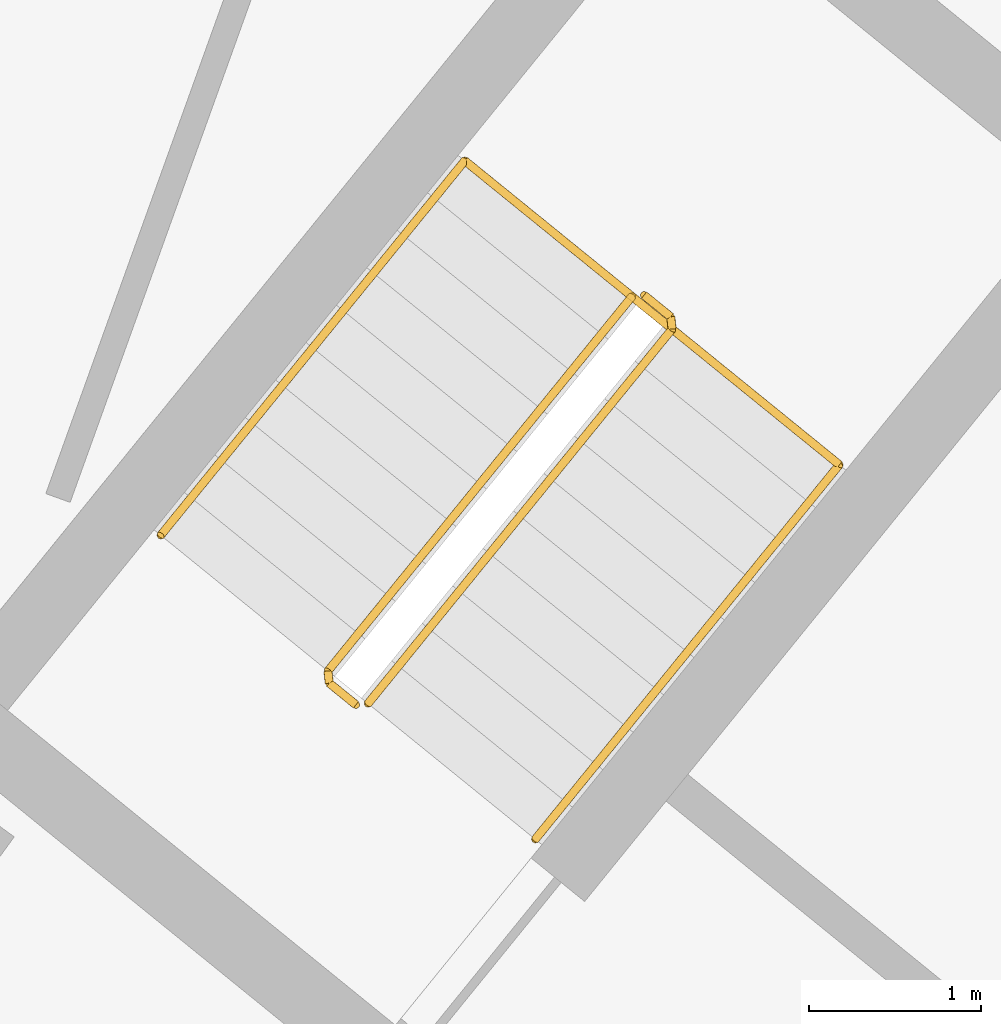
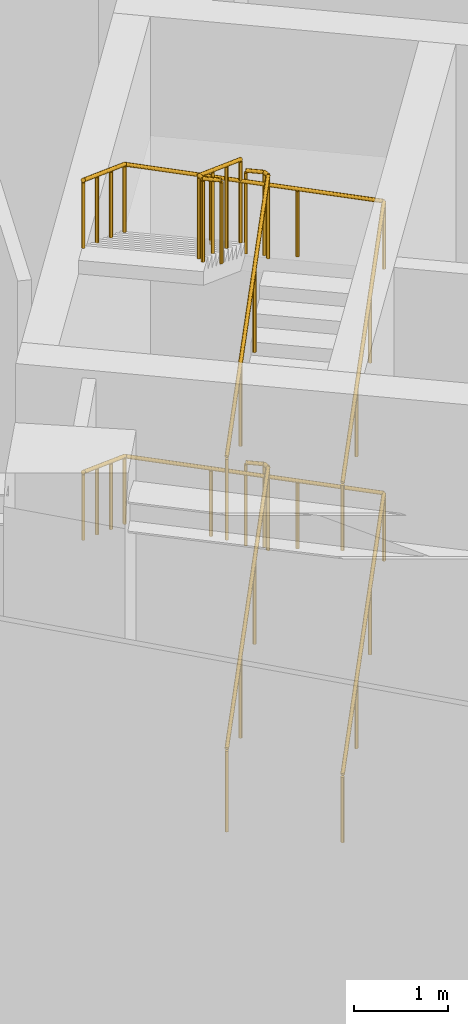
# One storey, part 30 of 30: 5 railings.
"""IFC4 building model written with IfcOpenShell, lengths in metres."""

from ifc_helpers import new_model, si_unit, direction, frame, origin, origin_2d, place, context, subcontext, project, spatial, circle, extrude, material, type_object, element, save


model = new_model("IFC4")

# Units and contexts
model_context = context("Model", 3, precision=1e-05, world=origin(), true_north=direction((0.0, 1.0)))
body_context = subcontext(model_context, "Body", "Model", "MODEL_VIEW")
ifc_project = project(units=[si_unit("LENGTHUNIT", "METRE"), si_unit("AREAUNIT", "SQUARE_METRE"), si_unit("VOLUMEUNIT", "CUBIC_METRE"), si_unit("PLANEANGLEUNIT", "RADIAN"), si_unit("MASSUNIT", "GRAM", prefix="KILO")], contexts=[model_context])

# Site, building, storey
site_placement = place(None, origin())
site = spatial("IfcSite", under=ifc_project, at=site_placement, CompositionType="ELEMENT")
building_placement = place(site_placement, origin())
building = spatial("IfcBuilding", under=site, at=building_placement, Name="Stone Belt Terrace Tower", CompositionType="ELEMENT")
storey_placement = place(building_placement, frame((0.0, 0.0, 136.39990234375)))
storey = spatial("IfcBuildingStorey", under=building, at=storey_placement, Name="L33", CompositionType="ELEMENT", Elevation=136.39990234375)

# Railings
ifc_material = material(Name="Structural steel C345", Category="steel")
railing_type_1 = type_object("IfcRailingType", Name="Stair guard 1100", PredefinedType="GUARDRAIL", material=ifc_material)
for number, where, name in (
    (1, (29.39794921875, 38.281982421875, 0.1728515625), "L33 ST3B stair guard 1"),
    (2, (29.39794921875, 38.281982421875, 3.972900390625), "L33 ST3B stair guard 3"),
):
    element("IfcRailing", number, at=place(storey_placement, frame(where)), inside=storey, type_object=railing_type_1, Name=name, PredefinedType="GUARDRAIL", context=body_context, shape_type="SweptSolid", body=[
        extrude(circle(Radius=0.02392578125, at=origin_2d()), frame((0.0, 0.0, 1.076171875), z_axis=(0.536393061503, 0.660769759217, 0.525038864158), x_axis=(-0.776391310223, 0.630251166924, 0.0)), (0.0, 0.0, 1.0), 3.289794921875),
        extrude(circle(Radius=0.02392578125, at=origin_2d()), frame((1.7646484375, 2.173828125, 2.80322265625), z_axis=(-0.103251414163, 0.994655289773, 0.0), x_axis=(-0.994655289773, -0.103251414163, 0.0)), (0.0, 0.0, 1.0), 0.071044921875),
        extrude(circle(Radius=0.02392578125, at=origin_2d()), frame((1.75732421875, 2.244384765625, 2.80322265625), z_axis=(-0.776561986372, 0.630040856868, 0.0), x_axis=(-0.630040856868, -0.776561986372, 0.0)), (0.0, 0.0, 1.0), 0.199951171875),
        extrude(circle(Radius=0.02099609375, at=origin_2d()), origin(), (0.0, 0.0, 1.0), 1.052001953125),
        extrude(circle(Radius=0.02099609375, at=origin_2d()), frame((0.588134765625, 0.724609375, 0.57568359375)), (0.0, 0.0, 1.0), 1.052001953125),
        extrude(circle(Radius=0.02099609375, at=origin_2d()), frame((1.176513671875, 1.44921875, 1.151611328125)), (0.0, 0.0, 1.0), 1.052001953125),
        extrude(circle(Radius=0.02099609375, at=origin_2d()), frame((1.7646484375, 2.173828125, 1.727294921875)), (0.0, 0.0, 1.0), 1.052001953125),
        extrude(circle(Radius=0.02099609375, at=origin_2d()), frame((1.75732421875, 2.244384765625, 1.727294921875)), (0.0, 0.0, 1.0), 1.052001953125),
        extrude(circle(Radius=0.02099609375, at=origin_2d()), frame((1.60205078125, 2.370361328125, 1.727294921875)), (0.0, 0.0, 1.0), 1.052001953125),
    ])
railing_1_placement = place(storey_placement, frame((30.9296875, 40.64501953125, 5.872802734375)))
element("IfcRailing", 3, at=railing_1_placement, inside=storey, type_object=railing_type_1, Name="L33 ST3B stair guard 4", PredefinedType="GUARDRAIL", context=body_context, shape_type="SweptSolid", body=[
    extrude(circle(Radius=0.02392578125, at=origin_2d()), frame((0.0, 0.0, 1.076171875), z_axis=(-0.536366759382, -0.660811565066, 0.525013118792), x_axis=(0.776425942316, -0.630208502084, 0.0)), (0.0, 0.0, 1.0), 3.2900390625),
    extrude(circle(Radius=0.02392578125, at=origin_2d()), frame((-1.7646484375, -2.174072265625, 2.80322265625), z_axis=(0.103606084259, -0.994618408891, 0.0), x_axis=(0.994618408891, 0.103606084259, 0.0)), (0.0, 0.0, 1.0), 0.07080078125),
    extrude(circle(Radius=0.02392578125, at=origin_2d()), frame((-1.75732421875, -2.244384765625, 2.80322265625), z_axis=(0.776561986372, -0.630040856868, 0.0), x_axis=(0.630040856868, 0.776561986372, 0.0)), (0.0, 0.0, 1.0), 0.199951171875),
    extrude(circle(Radius=0.02099609375, at=origin_2d()), origin(), (0.0, 0.0, 1.0), 1.052001953125),
    extrude(circle(Radius=0.02099609375, at=origin_2d()), frame((-0.588134765625, -0.724609375, 0.57568359375)), (0.0, 0.0, 1.0), 1.052001953125),
    extrude(circle(Radius=0.02099609375, at=origin_2d()), frame((-1.176513671875, -1.449462890625, 1.151611328125)), (0.0, 0.0, 1.0), 1.052001953125),
    extrude(circle(Radius=0.02099609375, at=origin_2d()), frame((-1.7646484375, -2.174072265625, 1.727294921875)), (0.0, 0.0, 1.0), 1.052001953125),
    extrude(circle(Radius=0.02099609375, at=origin_2d()), frame((-1.75732421875, -2.244384765625, 1.727294921875)), (0.0, 0.0, 1.0), 1.052001953125),
    extrude(circle(Radius=0.02099609375, at=origin_2d()), frame((-1.60205078125, -2.370361328125, 1.727294921875)), (0.0, 0.0, 1.0), 1.052001953125),
])
railing_type_2 = type_object("IfcRailingType", Name="Stair handrail 900", PredefinedType="HANDRAIL", material=ifc_material)
railing_2_placement = place(storey_placement, frame((30.36865234375, 37.494140625, 0.1728515625)))
element("IfcRailing", 4, at=railing_2_placement, inside=storey, type_object=railing_type_2, Name="L33 ST3B stair handrail 1", PredefinedType="HANDRAIL", context=body_context, shape_type="SweptSolid", body=[
    extrude(circle(Radius=0.02392578125, at=origin_2d()), frame((0.0, 0.0, 0.8759765625), z_axis=(0.536366759382, 0.660811565066, 0.525013118792), x_axis=(-0.776425942316, 0.630208502084, 0.0)), (0.0, 0.0, 1.0), 3.2900390625),
    extrude(circle(Radius=0.02392578125, at=origin_2d()), frame((1.7646484375, 2.174072265625, 2.60302734375), z_axis=(-0.774954966459, 0.629014542119, 0.061526463929), x_axis=(-0.630208502084, -0.776425942316, 0.0)), (0.0, 0.0, 1.0), 2.805419921875),
    extrude(circle(Radius=0.02392578125, at=origin_2d()), frame((-0.409423828125, 3.938720703125, 2.77587890625), z_axis=(-0.536366759382, -0.660811565066, 0.525013118792), x_axis=(0.776425942316, -0.630208502084, 0.0)), (0.0, 0.0, 1.0), 3.2900390625),
    extrude(circle(Radius=0.02099609375, at=origin_2d()), origin(), (0.0, 0.0, 1.0), 0.851806640625),
    extrude(circle(Radius=0.02099609375, at=origin_2d()), frame((0.588134765625, 0.724609375, 0.57568359375)), (0.0, 0.0, 1.0), 0.851806640625),
    extrude(circle(Radius=0.02099609375, at=origin_2d()), frame((1.176513671875, 1.449462890625, 1.151611328125)), (0.0, 0.0, 1.0), 0.851806640625),
    extrude(circle(Radius=0.02099609375, at=origin_2d()), frame((1.7646484375, 2.174072265625, 1.727294921875)), (0.0, 0.0, 1.0), 0.851806640625),
    extrude(circle(Radius=0.02099609375, at=origin_2d()), frame((1.0400390625, 2.76220703125, 1.784912109375)), (0.0, 0.0, 1.0), 0.851806640625),
    extrude(circle(Radius=0.02099609375, at=origin_2d()), frame((0.315185546875, 3.3505859375, 1.84228515625)), (0.0, 0.0, 1.0), 0.851806640625),
    extrude(circle(Radius=0.02099609375, at=origin_2d()), frame((-0.409423828125, 3.938720703125, 1.89990234375)), (0.0, 0.0, 1.0), 0.851806640625),
    extrude(circle(Radius=0.02099609375, at=origin_2d()), frame((-0.99755859375, 3.214111328125, 2.4755859375)), (0.0, 0.0, 1.0), 0.851806640625),
    extrude(circle(Radius=0.02099609375, at=origin_2d()), frame((-1.5859375, 2.4892578125, 3.051513671875)), (0.0, 0.0, 1.0), 0.851806640625),
    extrude(circle(Radius=0.02099609375, at=origin_2d()), frame((-2.174072265625, 1.7646484375, 3.627197265625)), (0.0, 0.0, 1.0), 0.851806640625),
])
railing_3_placement = place(storey_placement, frame((30.36865234375, 37.494140625, 3.972900390625)))
element("IfcRailing", 5, at=railing_3_placement, inside=storey, type_object=railing_type_2, Name="L33 ST3B stair handrail 2", PredefinedType="HANDRAIL", context=body_context, shape_type="SweptSolid", body=[
    extrude(circle(Radius=0.02392578125, at=origin_2d()), frame((0.0, 0.0, 0.8759765625), z_axis=(0.536366759382, 0.660811565066, 0.525013118792), x_axis=(-0.776425942316, 0.630208502084, 0.0)), (0.0, 0.0, 1.0), 3.2900390625),
    extrude(circle(Radius=0.02392578125, at=origin_2d()), frame((1.7646484375, 2.174072265625, 2.60302734375), z_axis=(-0.774954966459, 0.629014542119, 0.061526463929), x_axis=(-0.630208502084, -0.776425942316, 0.0)), (0.0, 0.0, 1.0), 2.805419921875),
    extrude(circle(Radius=0.02392578125, at=origin_2d()), frame((-0.409423828125, 3.938720703125, 2.77587890625), z_axis=(-0.536366759382, -0.660811565066, 0.525013118792), x_axis=(0.776425942316, -0.630208502084, 0.0)), (0.0, 0.0, 1.0), 3.2900390625),
    extrude(circle(Radius=0.02099609375, at=origin_2d()), origin(), (0.0, 0.0, 1.0), 0.851806640625),
    extrude(circle(Radius=0.02099609375, at=origin_2d()), frame((0.588134765625, 0.724609375, 0.57568359375)), (0.0, 0.0, 1.0), 0.851806640625),
    extrude(circle(Radius=0.02099609375, at=origin_2d()), frame((1.176513671875, 1.449462890625, 1.151611328125)), (0.0, 0.0, 1.0), 0.851806640625),
    extrude(circle(Radius=0.02099609375, at=origin_2d()), frame((1.7646484375, 2.174072265625, 1.727294921875)), (0.0, 0.0, 1.0), 0.851806640625),
    extrude(circle(Radius=0.02099609375, at=origin_2d()), frame((1.0400390625, 2.76220703125, 1.784912109375)), (0.0, 0.0, 1.0), 0.851806640625),
    extrude(circle(Radius=0.02099609375, at=origin_2d()), frame((0.315185546875, 3.3505859375, 1.84228515625)), (0.0, 0.0, 1.0), 0.851806640625),
    extrude(circle(Radius=0.02099609375, at=origin_2d()), frame((-0.409423828125, 3.938720703125, 1.89990234375)), (0.0, 0.0, 1.0), 0.851806640625),
    extrude(circle(Radius=0.02099609375, at=origin_2d()), frame((-0.99755859375, 3.214111328125, 2.4755859375)), (0.0, 0.0, 1.0), 0.851806640625),
    extrude(circle(Radius=0.02099609375, at=origin_2d()), frame((-1.5859375, 2.4892578125, 3.051513671875)), (0.0, 0.0, 1.0), 0.851806640625),
    extrude(circle(Radius=0.02099609375, at=origin_2d()), frame((-2.174072265625, 1.7646484375, 3.627197265625)), (0.0, 0.0, 1.0), 0.851806640625),
])

save(model, "model.ifc")
